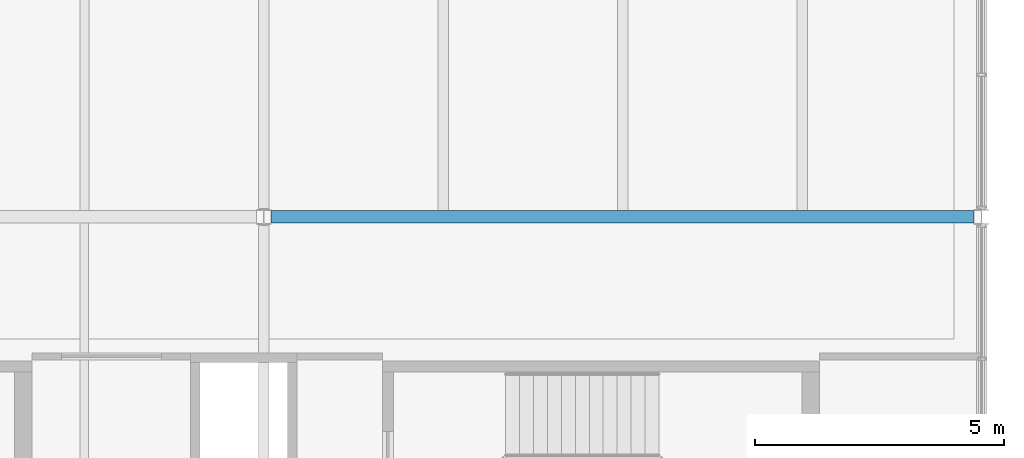
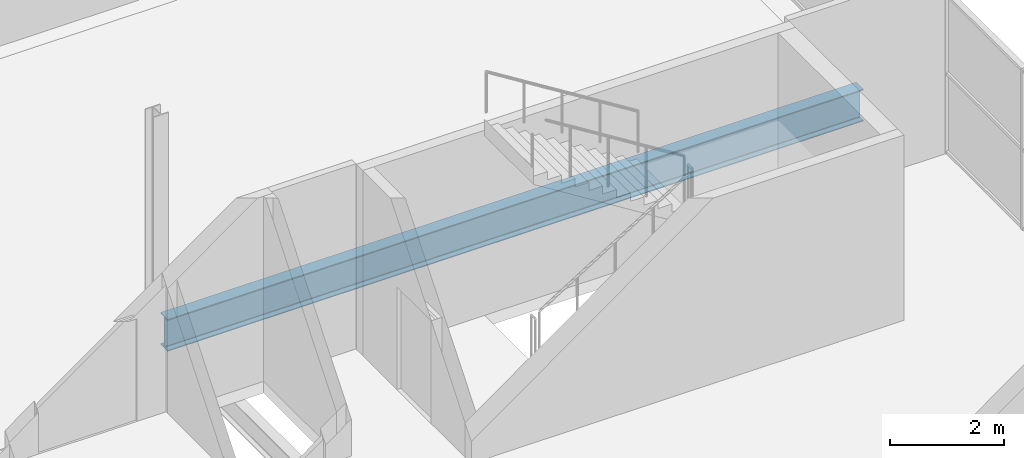
# One storey, part 48 of 68: 1 beam.
"""IFC4 building model written with IfcOpenShell, lengths in metres."""

import ifcopenshell
import ifcopenshell.guid

model = None  # the IFC model being written
_history = None  # IfcOwnerHistory: only IFC2X3 demands one
_inside = {}  # id of a spatial element -> (the spatial element, [elements in it])
_under = {}  # id of a project, library or spatial element -> (it, [spatial elements below it])
_declared = {}  # id of a project -> (the project, [libraries it declares])
_typed = {}  # id of a type object -> (the type object, [elements of that type])
_made_of = {}  # id of a material, layer set ... -> (it, [elements and type objects made of it])


def new_model(schema):
    """Start an empty IFC model of exactly this schema.

    Asked for "IFC4X3", IfcOpenShell would pick the latest addendum, in which some entities
    have other attributes; the version numbers below select the first issue.
    IFC2X3 requires an IfcOwnerHistory on every rooted entity: one is made here for all.
    """
    global model, _history
    if schema == "IFC4X3":
        model = ifcopenshell.file(schema_version=(4, 3, 0, 0))
    else:
        model = ifcopenshell.file(schema=schema)
    _inside.clear()
    _under.clear()
    _declared.clear()
    _typed.clear()
    _made_of.clear()
    _history = None
    if model.schema == "IFC2X3":
        org = make("IfcOrganization", Name="unknown")
        user = make(
            "IfcPersonAndOrganization",
            ThePerson=make("IfcPerson", FamilyName="unknown"),
            TheOrganization=org,
        )
        app = make(
            "IfcApplication",
            ApplicationDeveloper=org,
            Version="unknown",
            ApplicationFullName="unknown",
            ApplicationIdentifier="unknown",
        )
        _history = make(
            "IfcOwnerHistory",
            OwningUser=user,
            OwningApplication=app,
            ChangeAction="ADDED",
            CreationDate=0,
        )
    return model


def make(cls, **values):
    """One entity of the class cls with the attributes given. An attribute that is None is left unset."""
    return model.create_entity(
        cls, **{name: value for name, value in values.items() if value is not None}
    )


def rooted(cls, **values):
    """An entity with a GlobalId (a new one), such as an element, a storey or a relation."""
    return make(cls, GlobalId=ifcopenshell.guid.new(), OwnerHistory=_history, **values)


def si_unit(unit_type, name, prefix=None):
    """IfcSIUnit, for example si_unit("LENGTHUNIT", "METRE", prefix="MILLI")."""
    return make("IfcSIUnit", UnitType=unit_type, Prefix=prefix, Name=name)


def assignment(units):
    """IfcUnitAssignment: the units of a project."""
    return None if units is None else make("IfcUnitAssignment", Units=units)


def point(xyz):
    """IfcCartesianPoint."""
    return None if xyz is None else make("IfcCartesianPoint", Coordinates=xyz)


def direction(xyz):
    """IfcDirection."""
    return None if xyz is None else make("IfcDirection", DirectionRatios=xyz)


def frame(location, z_axis=None, x_axis=None):
    """IfcAxis2Placement3D, a coordinate frame: its origin and axes. An axis left out is left unset."""
    return make(
        "IfcAxis2Placement3D",
        Location=point(location),
        Axis=direction(z_axis),
        RefDirection=direction(x_axis),
    )


def frame_2d(location, x_axis=None):
    """IfcAxis2Placement2D, a coordinate frame in the plane: its origin and x axis."""
    return make(
        "IfcAxis2Placement2D", Location=point(location), RefDirection=direction(x_axis)
    )


def origin():
    """The frame at (0, 0, 0) with its axes left unset."""
    return frame((0.0, 0.0, 0.0))


def origin_2d():
    """The frame at (0, 0) in the plane with its x axis left unset."""
    return frame_2d((0.0, 0.0))


def place(relative_to, where):
    """IfcLocalPlacement: puts the frame where relative to a parent placement (None: the world)."""
    return make(
        "IfcLocalPlacement", PlacementRelTo=relative_to, RelativePlacement=where
    )


def context(
    kind, dimensions, precision=None, world=None, true_north=None, identifier=None
):
    """IfcGeometricRepresentationContext, for example the 3D "Model" context."""
    return make(
        "IfcGeometricRepresentationContext",
        ContextIdentifier=identifier,
        ContextType=kind,
        CoordinateSpaceDimension=dimensions,
        Precision=precision,
        WorldCoordinateSystem=world,
        TrueNorth=true_north,
    )


def subcontext(parent, identifier, kind, view, scale=None):
    """IfcGeometricRepresentationSubContext, for example "Body" below "Model"."""
    return make(
        "IfcGeometricRepresentationSubContext",
        ContextIdentifier=identifier,
        ContextType=kind,
        ParentContext=parent,
        TargetScale=scale,
        TargetView=view,
    )


def project(units=None, contexts=None):
    """IfcProject with its units and contexts."""
    return rooted(
        "IfcProject",
        Name="project",
        RepresentationContexts=contexts,
        UnitsInContext=assignment(units),
    )


def spatial(cls, under=None, at=None, **own):
    """A site, building, storey or space (cls), placed at a placement, below another one or the project."""
    s = rooted(cls, ObjectPlacement=at, **own)
    if under is not None:
        _under.setdefault(under.id(), (under, []))[1].append(s)
    return s


def profile(cls, at=None, kind="AREA", **sizes):
    """A parametric profile (cls). Its sizes go by their IFC names, for example OverallWidth=200.0."""
    return make(cls, ProfileType=kind, Position=at, **sizes)


def i_section(**sizes):
    """IfcIShapeProfileDef."""
    return profile("IfcIShapeProfileDef", **sizes)


def extrude(swept, where, along, depth):
    """IfcExtrudedAreaSolid: the profile swept, set in the frame where, extruded along a direction by depth."""
    return make(
        "IfcExtrudedAreaSolid",
        SweptArea=swept,
        Position=where,
        ExtrudedDirection=direction(along),
        Depth=depth,
    )


def shape(context_of_items, identifier, shape_type, items):
    """IfcShapeRepresentation: the items that make up one representation, for example the "Body"."""
    return make(
        "IfcShapeRepresentation",
        ContextOfItems=context_of_items,
        RepresentationIdentifier=identifier,
        RepresentationType=shape_type,
        Items=items,
    )


def material(Name=None, Category=None):
    """IfcMaterial."""
    return make("IfcMaterial", Name=Name, Category=Category)


def material_profile(
    of_material, cross_section, Name=None, Category=None, Priority=None
):
    """IfcMaterialProfile: a cross section and its material."""
    return make(
        "IfcMaterialProfile",
        Name=Name,
        Material=of_material,
        Profile=cross_section,
        Priority=Priority,
        Category=Category,
    )


def profile_set(profiles, Name=None, composite=None):
    """IfcMaterialProfileSet."""
    return make(
        "IfcMaterialProfileSet",
        Name=Name,
        MaterialProfiles=profiles,
        CompositeProfile=composite,
    )


def made_of(thing, what):
    """Note that an element or type object is made of a material, layer set ...; save() writes the relation."""
    if what is not None:
        _made_of.setdefault(what.id(), (what, []))[1].append(thing)
    return thing


def type_object(cls, material=None, **own):
    """A type object (cls), such as IfcWallType, which elements share."""
    return made_of(rooted(cls, **own), material)


def element(
    cls,
    number,
    at=None,
    inside=None,
    cuts=None,
    type_object=None,
    material=None,
    context=None,
    identifier="Body",
    shape_type=None,
    held_by="IfcProductDefinitionShape",
    body=None,
    shapes=None,
    **own,
):
    """One element of the class cls, such as IfcWall. Its Tag is "e" and its number.

    at: its placement. inside: the storey or other place that contains it. cuts: it is an
    opening in that element (IfcRelVoidsElement). A single representation is given by context,
    identifier, shape_type and body (its items); several are given by shapes. held_by: the class
    of the entity that holds the representations. save() writes the other relations.
    """
    e = rooted(cls, Tag="e%d" % number, ObjectPlacement=at, **own)
    if body is not None:
        shapes = [shape(context, identifier, shape_type, body)]
    if shapes is not None:
        e.Representation = make(held_by, Representations=shapes)
    if inside is not None:
        _inside.setdefault(inside.id(), (inside, []))[1].append(e)
    if cuts is not None:
        rooted(
            "IfcRelVoidsElement", RelatingBuildingElement=cuts, RelatedOpeningElement=e
        )
    if type_object is not None:
        _typed.setdefault(type_object.id(), (type_object, []))[1].append(e)
    return made_of(e, material)


def aggregate(whole, parts):
    """IfcRelAggregates: a whole, such as a stair, and the parts it consists of."""
    return rooted("IfcRelAggregates", RelatingObject=whole, RelatedObjects=parts)


def save(model, path):
    """Write the relations noted so far, then the file.

    IfcRelAggregates (storeys below a building ...), IfcRelContainedInSpatialStructure (elements
    in a storey), IfcRelDefinesByType, IfcRelAssociatesMaterial and IfcRelDeclares: one each for
    every whole, place, type object, material and project.
    """
    for whole, parts in _under.values():
        aggregate(whole, parts)
    for where, things in _inside.values():
        rooted(
            "IfcRelContainedInSpatialStructure",
            RelatedElements=things,
            RelatingStructure=where,
        )
    for kind, things in _typed.values():
        rooted("IfcRelDefinesByType", RelatedObjects=things, RelatingType=kind)
    for what, things in _made_of.values():
        rooted("IfcRelAssociatesMaterial", RelatedObjects=things, RelatingMaterial=what)
    for by, libraries in _declared.values():
        rooted("IfcRelDeclares", RelatingContext=by, RelatedDefinitions=libraries)
    model.write(path)


model = new_model("IFC4")

# Units and contexts
model_context = context("Model", 3, precision=1e-05, world=origin(), true_north=direction((0.0, 1.0)))
body_context = subcontext(model_context, "Body", "Model", "MODEL_VIEW")
ifc_project = project(units=[si_unit("LENGTHUNIT", "METRE"), si_unit("AREAUNIT", "SQUARE_METRE"), si_unit("VOLUMEUNIT", "CUBIC_METRE"), si_unit("PLANEANGLEUNIT", "RADIAN"), si_unit("MASSUNIT", "GRAM", prefix="KILO"), si_unit("THERMODYNAMICTEMPERATUREUNIT", "KELVIN")], contexts=[model_context])

# Site, building, storey
site_placement = place(None, origin())
site = spatial("IfcSite", under=ifc_project, at=site_placement, CompositionType="ELEMENT")
building_placement = place(site_placement, origin())
building = spatial("IfcBuilding", under=site, at=building_placement, Name="Nduvali Passage Aquatics Centre", CompositionType="ELEMENT")
storey_placement = place(building_placement, frame((0.0, 0.0, 13.199951171875)))
storey = spatial("IfcBuildingStorey", under=building, at=storey_placement, Name="L03", CompositionType="ELEMENT", Elevation=13.199951171875)

# Beam
ifc_material = material(Name="Steel S355", Category="steel")
ifc_material_profile = material_profile(ifc_material, i_section(OverallWidth=0.253662109375, OverallDepth=0.68359375, WebThickness=0.012451171875, FlangeThickness=0.01904296875, FilletRadius=0.01513671875, at=origin_2d()), Name="UKB 686x254x140")
ifc_profile_set = profile_set([ifc_material_profile], Name="Steel S355")
beam_type = type_object("IfcBeamType", Name="STR-BM-UKB686", PredefinedType="BEAM", material=ifc_profile_set)
beam_placement = place(storey_placement, frame((111.75, 109.199951171875, -0.595703125), z_axis=(1.0, 0.0, 0.0), x_axis=(0.0, 1.0, 0.0)))
element("IfcBeam", 1, at=beam_placement, inside=storey, type_object=beam_type, Name="L03 Primary X-Girder B4-1232", PredefinedType="BEAM", context=body_context, shape_type="SweptSolid", body=[
    extrude(i_section(OverallWidth=0.253662109375, OverallDepth=0.68359375, WebThickness=0.012451171875, FlangeThickness=0.01904296875, FilletRadius=0.01513671875, at=origin_2d()), origin(), (0.0, 0.0, 1.0), 14.10009765625),
])

save(model, "model.ifc")
